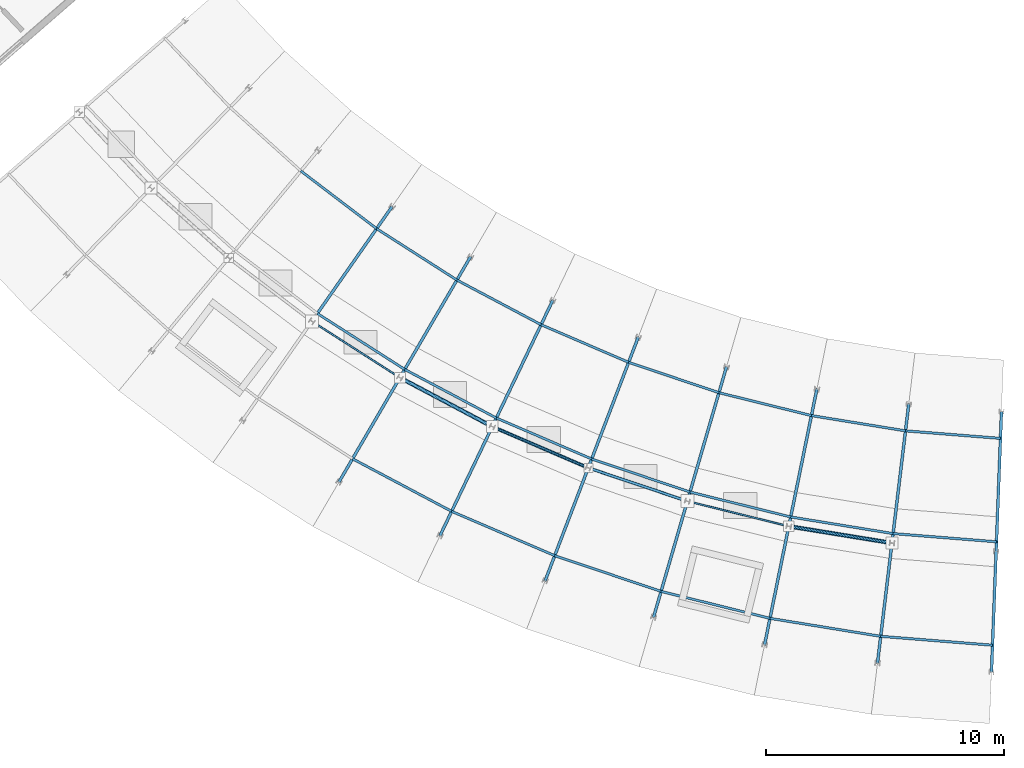
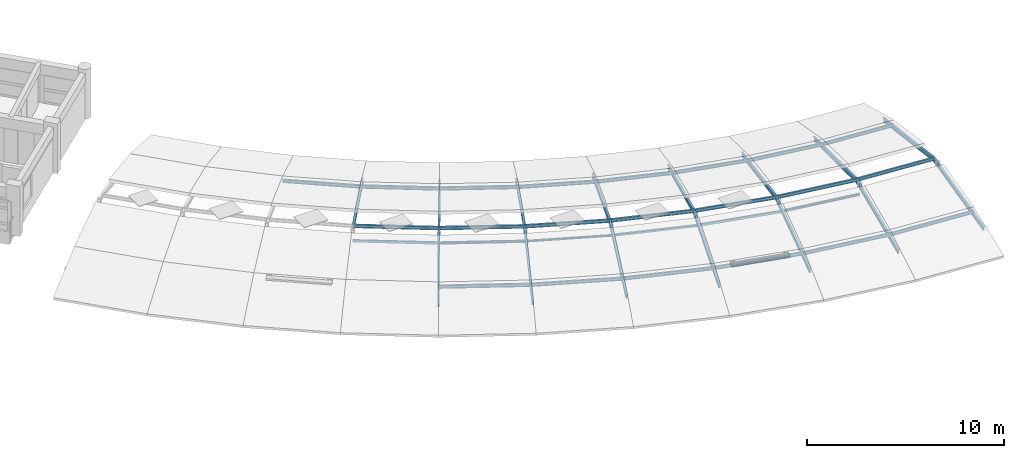
# One storey, part 16 of 40: 36 beams, 6 members.
"""IFC4 building model written with IfcOpenShell, lengths in metres."""

from ifc_helpers import new_model, si_unit, direction, frame, origin, origin_2d, place, context, subcontext, project, spatial, hollow_rectangle, hollow_circle, i_section, extrude, material, material_profile, profile_set, type_object, element, save


model = new_model("IFC4")

# Units and contexts
model_context = context("Model", 3, precision=1e-05, world=origin(), true_north=direction((0.0, 1.0)))
body_context = subcontext(model_context, "Body", "Model", "MODEL_VIEW")
ifc_project = project(units=[si_unit("LENGTHUNIT", "METRE"), si_unit("AREAUNIT", "SQUARE_METRE"), si_unit("VOLUMEUNIT", "CUBIC_METRE"), si_unit("PLANEANGLEUNIT", "RADIAN"), si_unit("MASSUNIT", "GRAM", prefix="KILO")], contexts=[model_context])

# Site, building, storey
site_placement = place(None, origin())
site = spatial("IfcSite", under=ifc_project, at=site_placement, CompositionType="ELEMENT")
building_placement = place(site_placement, origin())
building = spatial("IfcBuilding", under=site, at=building_placement, Name="Zimvara Arc Housing Community", CompositionType="ELEMENT")
storey_placement = place(building_placement, frame((0.0, 0.0, 32.89990234375)))
storey = spatial("IfcBuildingStorey", under=building, at=storey_placement, Name="L10", CompositionType="ELEMENT", Elevation=32.89990234375)

# Beams
ifc_material_1 = material(Name="Steel S355", Category="steel")
ifc_material_profile_1 = material_profile(ifc_material_1, i_section(OverallWidth=0.10009765625, OverallDepth=0.199951171875, WebThickness=0.005615234375, FlangeThickness=0.008544921875, FilletRadius=0.011962890625, at=origin_2d()), Name="IPE 200")
ifc_profile_set_1 = profile_set([ifc_material_profile_1], Name="Steel S355")
beam_type_1 = type_object("IfcBeamType", Name="BM-ST-IPE200", PredefinedType="JOIST", material=ifc_profile_set_1)
beam_1_placement = place(storey_placement, frame((94.68798828125, 72.088134765625, 0.8251953125), z_axis=(0.795456905732, -0.606010157608, 0.0), x_axis=(0.606010157608, 0.795456905732, 0.0)))
element("IfcBeam", 1, at=beam_1_placement, inside=storey, type_object=beam_type_1, Name="bm:blkC:L10:p_in:b2", PredefinedType="JOIST", context=body_context, shape_type="SweptSolid", body=[
    extrude(i_section(OverallWidth=0.10009765625, OverallDepth=0.199951171875, WebThickness=0.005615234375, FlangeThickness=0.008544921875, FilletRadius=0.011962890625, at=origin_2d()), origin(), (0.0, 0.0, 1.0), 4.00537109375),
])
beam_2_placement = place(storey_placement, frame((97.8740234375, 69.660888671875, 0.8251953125), z_axis=(0.84227582837, -0.539046778067, 0.0), x_axis=(0.539046778067, 0.84227582837, 0.0)))
element("IfcBeam", 2, at=beam_2_placement, inside=storey, type_object=beam_type_1, Name="bm:blkC:L10:p_in:b3", PredefinedType="JOIST", context=body_context, shape_type="SweptSolid", body=[
    extrude(i_section(OverallWidth=0.10009765625, OverallDepth=0.199951171875, WebThickness=0.005615234375, FlangeThickness=0.008544921875, FilletRadius=0.011962890625, at=origin_2d()), origin(), (0.0, 0.0, 1.0), 4.005615234375),
])
beam_3_placement = place(storey_placement, frame((95.381591796875, 66.095947265625, 1.4150390625), z_axis=(0.842259198288, -0.539072762156, 0.0), x_axis=(0.539072762156, 0.842259198288, 0.0)))
element("IfcBeam", 3, at=beam_3_placement, inside=storey, type_object=beam_type_1, Name="bm:blkC:L10:p_crb:b3", PredefinedType="JOIST", context=body_context, shape_type="SweptSolid", body=[
    extrude(i_section(OverallWidth=0.10009765625, OverallDepth=0.199951171875, WebThickness=0.005615234375, FlangeThickness=0.008544921875, FilletRadius=0.011962890625, at=origin_2d()), origin(), (0.0, 0.0, 1.0), 4.3603515625),
])
beam_4_placement = place(storey_placement, frame((101.247802734375, 67.501708984375, 0.8251953125), z_axis=(0.883428842422, -0.468565342697, 0.0), x_axis=(0.468565342697, 0.883428842422, 0.0)))
element("IfcBeam", 4, at=beam_4_placement, inside=storey, type_object=beam_type_1, Name="bm:blkC:L10:p_in:b4", PredefinedType="JOIST", context=body_context, shape_type="SweptSolid", body=[
    extrude(i_section(OverallWidth=0.10009765625, OverallDepth=0.199951171875, WebThickness=0.005615234375, FlangeThickness=0.008544921875, FilletRadius=0.011962890625, at=origin_2d()), origin(), (0.0, 0.0, 1.0), 4.005126953125),
])
beam_5_placement = place(storey_placement, frame((99.05419921875, 63.745361328125, 1.4150390625), z_axis=(0.883443142085, -0.468538381249, 0.0), x_axis=(0.468538381249, 0.883443142085, 0.0)))
element("IfcBeam", 5, at=beam_5_placement, inside=storey, type_object=beam_type_1, Name="bm:blkC:L10:p_crb:b4", PredefinedType="JOIST", context=body_context, shape_type="SweptSolid", body=[
    extrude(i_section(OverallWidth=0.10009765625, OverallDepth=0.199951171875, WebThickness=0.005615234375, FlangeThickness=0.008544921875, FilletRadius=0.011962890625, at=origin_2d()), origin(), (0.0, 0.0, 1.0), 4.36083984375),
])
beam_6_placement = place(storey_placement, frame((96.86083984375, 59.98876953125, 0.8251953125), z_axis=(0.883432556637, -0.468558339884, 0.0), x_axis=(0.468558339884, 0.883432556637, 0.0)))
element("IfcBeam", 6, at=beam_6_placement, inside=storey, type_object=beam_type_1, Name="bm:blkC:L10:p_out:b4", PredefinedType="JOIST", context=body_context, shape_type="SweptSolid", body=[
    extrude(i_section(OverallWidth=0.10009765625, OverallDepth=0.199951171875, WebThickness=0.005615234375, FlangeThickness=0.008544921875, FilletRadius=0.011962890625, at=origin_2d()), origin(), (0.0, 0.0, 1.0), 4.716064453125),
])
beam_7_placement = place(storey_placement, frame((104.7861328125, 65.625, 0.8251953125), z_axis=(0.918744157228, -0.394853357031, 0.0), x_axis=(0.394853357031, 0.918744157228, 0.0)))
element("IfcBeam", 7, at=beam_7_placement, inside=storey, type_object=beam_type_1, Name="bm:blkC:L10:p_in:b5", PredefinedType="JOIST", context=body_context, shape_type="SweptSolid", body=[
    extrude(i_section(OverallWidth=0.10009765625, OverallDepth=0.199951171875, WebThickness=0.005615234375, FlangeThickness=0.008544921875, FilletRadius=0.011962890625, at=origin_2d()), origin(), (0.0, 0.0, 1.0), 4.00537109375),
])
beam_8_placement = place(storey_placement, frame((102.90673828125, 61.7021484375, 1.4150390625), z_axis=(0.918727491626, -0.394892132271, 0.0), x_axis=(0.394892132271, 0.918727491626, 0.0)))
element("IfcBeam", 8, at=beam_8_placement, inside=storey, type_object=beam_type_1, Name="bm:blkC:L10:p_crb:b5", PredefinedType="JOIST", context=body_context, shape_type="SweptSolid", body=[
    extrude(i_section(OverallWidth=0.10009765625, OverallDepth=0.199951171875, WebThickness=0.005615234375, FlangeThickness=0.008544921875, FilletRadius=0.011962890625, at=origin_2d()), origin(), (0.0, 0.0, 1.0), 4.360595703125),
])
beam_9_placement = place(storey_placement, frame((101.027099609375, 57.779052734375, 0.8251953125), z_axis=(0.918740191119, -0.39486258524, 0.0), x_axis=(0.39486258524, 0.918740191119, 0.0)))
element("IfcBeam", 9, at=beam_9_placement, inside=storey, type_object=beam_type_1, Name="bm:blkC:L10:p_out:b5", PredefinedType="JOIST", context=body_context, shape_type="SweptSolid", body=[
    extrude(i_section(OverallWidth=0.10009765625, OverallDepth=0.199951171875, WebThickness=0.005615234375, FlangeThickness=0.008544921875, FilletRadius=0.011962890625, at=origin_2d()), origin(), (0.0, 0.0, 1.0), 4.7158203125),
])
beam_10_placement = place(storey_placement, frame((108.466064453125, 64.04345703125, 0.8251953125), z_axis=(0.947869514927, -0.318658724457, 0.0), x_axis=(0.318658724457, 0.947869514927, 0.0)))
element("IfcBeam", 10, at=beam_10_placement, inside=storey, type_object=beam_type_1, Name="bm:blkC:L10:p_in:b6", PredefinedType="JOIST", context=body_context, shape_type="SweptSolid", body=[
    extrude(i_section(OverallWidth=0.10009765625, OverallDepth=0.199951171875, WebThickness=0.005615234375, FlangeThickness=0.008544921875, FilletRadius=0.011962890625, at=origin_2d()), origin(), (0.0, 0.0, 1.0), 4.00537109375),
])
beam_11_placement = place(storey_placement, frame((106.912841796875, 59.980224609375, 1.4150390625), z_axis=(0.947879626716, -0.318628644751, 0.0), x_axis=(0.318628644751, 0.947879626716, 0.0)))
element("IfcBeam", 11, at=beam_11_placement, inside=storey, type_object=beam_type_1, Name="bm:blkC:L10:p_crb:b6", PredefinedType="JOIST", context=body_context, shape_type="SweptSolid", body=[
    extrude(i_section(OverallWidth=0.10009765625, OverallDepth=0.199951171875, WebThickness=0.005615234375, FlangeThickness=0.008544921875, FilletRadius=0.011962890625, at=origin_2d()), origin(), (0.0, 0.0, 1.0), 4.360595703125),
])
beam_12_placement = place(storey_placement, frame((105.359619140625, 55.9169921875, 0.8251953125), z_axis=(0.947872578778, -0.318649610704, 0.0), x_axis=(0.318649610704, 0.947872578778, 0.0)))
element("IfcBeam", 12, at=beam_12_placement, inside=storey, type_object=beam_type_1, Name="bm:blkC:L10:p_out:b6", PredefinedType="JOIST", context=body_context, shape_type="SweptSolid", body=[
    extrude(i_section(OverallWidth=0.10009765625, OverallDepth=0.199951171875, WebThickness=0.005615234375, FlangeThickness=0.008544921875, FilletRadius=0.011962890625, at=origin_2d()), origin(), (0.0, 0.0, 1.0), 4.7158203125),
])
beam_13_placement = place(storey_placement, frame((112.2626953125, 62.76708984375, 0.8251953125), z_axis=(0.970717036884, -0.240225798578, 0.0), x_axis=(0.240225798578, 0.970717036884, 0.0)))
element("IfcBeam", 13, at=beam_13_placement, inside=storey, type_object=beam_type_1, Name="bm:blkC:L10:p_in:b7", PredefinedType="JOIST", context=body_context, shape_type="SweptSolid", body=[
    extrude(i_section(OverallWidth=0.10009765625, OverallDepth=0.199951171875, WebThickness=0.005615234375, FlangeThickness=0.008544921875, FilletRadius=0.011962890625, at=origin_2d()), origin(), (0.0, 0.0, 1.0), 4.005126953125),
])
beam_14_placement = place(storey_placement, frame((111.046142578125, 58.5908203125, 1.4150390625), z_axis=(0.970712841658, -0.240242750234, 0.0), x_axis=(0.240242750234, 0.970712841658, 0.0)))
element("IfcBeam", 14, at=beam_14_placement, inside=storey, type_object=beam_type_1, Name="bm:blkC:L10:p_crb:b7", PredefinedType="JOIST", context=body_context, shape_type="SweptSolid", body=[
    extrude(i_section(OverallWidth=0.10009765625, OverallDepth=0.199951171875, WebThickness=0.005615234375, FlangeThickness=0.008544921875, FilletRadius=0.011962890625, at=origin_2d()), origin(), (0.0, 0.0, 1.0), 4.360595703125),
])
beam_15_placement = place(storey_placement, frame((109.82958984375, 54.414306640625, 0.8251953125), z_axis=(0.970718363539, -0.240220437697, 0.0), x_axis=(0.240220437697, 0.970718363539, 0.0)))
element("IfcBeam", 15, at=beam_15_placement, inside=storey, type_object=beam_type_1, Name="bm:blkC:L10:p_out:b7", PredefinedType="JOIST", context=body_context, shape_type="SweptSolid", body=[
    extrude(i_section(OverallWidth=0.10009765625, OverallDepth=0.199951171875, WebThickness=0.005615234375, FlangeThickness=0.008544921875, FilletRadius=0.011962890625, at=origin_2d()), origin(), (0.0, 0.0, 1.0), 4.7158203125),
])
beam_16_placement = place(storey_placement, frame((116.150634765625, 61.804931640625, 0.8251953125), z_axis=(0.987077089692, -0.160246120094, 0.0), x_axis=(0.160246120094, 0.987077089692, 0.0)))
element("IfcBeam", 16, at=beam_16_placement, inside=storey, type_object=beam_type_1, Name="bm:blkC:L10:p_in:b8", PredefinedType="JOIST", context=body_context, shape_type="SweptSolid", body=[
    extrude(i_section(OverallWidth=0.10009765625, OverallDepth=0.199951171875, WebThickness=0.005615234375, FlangeThickness=0.008544921875, FilletRadius=0.011962890625, at=origin_2d()), origin(), (0.0, 0.0, 1.0), 4.00537109375),
])
beam_17_placement = place(storey_placement, frame((115.279052734375, 57.543212890625, 1.4150390625), z_axis=(0.987078206376, -0.160239241443, 0.0), x_axis=(0.160239241443, 0.987078206376, 0.0)))
element("IfcBeam", 17, at=beam_17_placement, inside=storey, type_object=beam_type_1, Name="bm:blkC:L10:p_crb:b8", PredefinedType="JOIST", context=body_context, shape_type="SweptSolid", body=[
    extrude(i_section(OverallWidth=0.10009765625, OverallDepth=0.199951171875, WebThickness=0.005615234375, FlangeThickness=0.008544921875, FilletRadius=0.011962890625, at=origin_2d()), origin(), (0.0, 0.0, 1.0), 4.360595703125),
])
beam_18_placement = place(storey_placement, frame((114.4072265625, 53.281494140625, 0.8251953125), z_axis=(0.987079154812, -0.160233398938, 0.0), x_axis=(0.160233398938, 0.987079154812, 0.0)))
element("IfcBeam", 18, at=beam_18_placement, inside=storey, type_object=beam_type_1, Name="bm:blkC:L10:p_out:b8", PredefinedType="JOIST", context=body_context, shape_type="SweptSolid", body=[
    extrude(i_section(OverallWidth=0.10009765625, OverallDepth=0.199951171875, WebThickness=0.005615234375, FlangeThickness=0.008544921875, FilletRadius=0.011962890625, at=origin_2d()), origin(), (0.0, 0.0, 1.0), 4.7158203125),
])
beam_19_placement = place(storey_placement, frame((120.104248046875, 61.1630859375, 0.8251953125), z_axis=(0.99686546888, -0.079115339566, 0.0), x_axis=(0.079115339566, 0.99686546888, 0.0)))
element("IfcBeam", 19, at=beam_19_placement, inside=storey, type_object=beam_type_1, Name="bm:blkC:L10:p_in:b9", PredefinedType="JOIST", context=body_context, shape_type="SweptSolid", body=[
    extrude(i_section(OverallWidth=0.10009765625, OverallDepth=0.199951171875, WebThickness=0.005615234375, FlangeThickness=0.008544921875, FilletRadius=0.011962890625, at=origin_2d()), origin(), (0.0, 0.0, 1.0), 4.00537109375),
])
beam_20_placement = place(storey_placement, frame((119.583251953125, 56.844482421875, 1.4150390625), z_axis=(0.996861396187, -0.079166639383, 0.0), x_axis=(0.079166639383, 0.996861396187, 0.0)))
element("IfcBeam", 20, at=beam_20_placement, inside=storey, type_object=beam_type_1, Name="bm:blkC:L10:p_crb:b9", PredefinedType="JOIST", context=body_context, shape_type="SweptSolid", body=[
    extrude(i_section(OverallWidth=0.10009765625, OverallDepth=0.199951171875, WebThickness=0.005615234375, FlangeThickness=0.008544921875, FilletRadius=0.011962890625, at=origin_2d()), origin(), (0.0, 0.0, 1.0), 4.360595703125),
])
beam_21_placement = place(storey_placement, frame((119.06201171875, 52.52587890625, 0.8251953125), z_axis=(0.996862345844, -0.079154680453, 0.0), x_axis=(0.079154680453, 0.996862345844, 0.0)))
element("IfcBeam", 21, at=beam_21_placement, inside=storey, type_object=beam_type_1, Name="bm:blkC:L10:p_out:b9", PredefinedType="JOIST", context=body_context, shape_type="SweptSolid", body=[
    extrude(i_section(OverallWidth=0.10009765625, OverallDepth=0.199951171875, WebThickness=0.005615234375, FlangeThickness=0.008544921875, FilletRadius=0.011962890625, at=origin_2d()), origin(), (0.0, 0.0, 1.0), 4.716064453125),
])
ifc_material_2 = material(Name="Steel S355", Category="steel")
ifc_material_profile_2 = material_profile(ifc_material_2, i_section(OverallWidth=0.1201171875, OverallDepth=0.239990234375, WebThickness=0.006103515625, FlangeThickness=0.009765625, FilletRadius=0.014892578125, at=origin_2d()), Name="IPE 240")
ifc_profile_set_2 = profile_set([ifc_material_profile_2], Name="Steel S355")
beam_type_2 = type_object("IfcBeamType", Name="BM-ST-IPE240", PredefinedType="JOIST", material=ifc_profile_set_2)
beam_22_placement = place(storey_placement, frame((98.521728515625, 70.587158203125, 0.462646484375), z_axis=(-0.564890173919, -0.807939639201, 0.167727847473), x_axis=(0.819549926471, -0.573007781815, 0.0)))
element("IfcBeam", 22, at=beam_22_placement, inside=storey, type_object=beam_type_2, Name="bm:blkC:L10:rf_in:g3", PredefinedType="JOIST", context=body_context, shape_type="SweptSolid", body=[
    extrude(i_section(OverallWidth=0.1201171875, OverallDepth=0.239990234375, WebThickness=0.006103515625, FlangeThickness=0.009765625, FilletRadius=0.014892578125, at=origin_2d()), origin(), (0.0, 0.0, 1.0), 5.558837890625),
])
for number, where, z_axis, x_axis, name in (
    (23, (101.8173828125, 68.4775390625, 0.462646484375), (-0.497100835054, -0.851325807197, 0.16773529679), (0.863560674395, -0.504244942104, 0.0), "bm:blkC:L10:rf_in:g4"),
    (24, (99.05419921875, 63.745361328125, 1.39501953125), (-0.497049179799, -0.851356481508, -0.167732686901), (0.863591400548, -0.504192317375, 0.0), "bm:blkC:L10:rf_out:g4"),
):
    element("IfcBeam", number, at=place(storey_placement, frame(where, z_axis=z_axis, x_axis=x_axis)), inside=storey, type_object=beam_type_2, Name=name, PredefinedType="JOIST", context=body_context, shape_type="SweptSolid", body=[
        extrude(i_section(OverallWidth=0.1201171875, OverallDepth=0.239990234375, WebThickness=0.006103515625, FlangeThickness=0.009765625, FilletRadius=0.014892578125, at=origin_2d()), origin(), (0.0, 0.0, 1.0), 5.55859375),
    ])
for number, where, z_axis, x_axis, name in (
    (25, (105.2744140625, 66.644287109375, 0.462646484375), (-0.425935064654, -0.889070273642, 0.167730048661), (0.901846770279, -0.432056018286, 0.0), "bm:blkC:L10:rf_in:g5"),
    (26, (102.90673828125, 61.7021484375, 1.39501953125), (-0.425971015556, -0.889053641396, -0.167726910858), (0.901829410646, -0.432092251833, 0.0), "bm:blkC:L10:rf_out:g5"),
):
    element("IfcBeam", number, at=place(storey_placement, frame(where, z_axis=z_axis, x_axis=x_axis)), inside=storey, type_object=beam_type_2, Name=name, PredefinedType="JOIST", context=body_context, shape_type="SweptSolid", body=[
        extrude(i_section(OverallWidth=0.1201171875, OverallDepth=0.239990234375, WebThickness=0.006103515625, FlangeThickness=0.009765625, FilletRadius=0.014892578125, at=origin_2d()), origin(), (0.0, 0.0, 1.0), 5.558837890625),
    ])
beam_23_placement = place(storey_placement, frame((108.869384765625, 65.098876953125, 0.462646484375), z_axis=(-0.351985144329, -0.920853573247, 0.167735371374), x_axis=(0.934087673892, -0.357043719287, 0.0)))
element("IfcBeam", 27, at=beam_23_placement, inside=storey, type_object=beam_type_2, Name="bm:blkC:L10:rf_in:g6", PredefinedType="JOIST", context=body_context, shape_type="SweptSolid", body=[
    extrude(i_section(OverallWidth=0.1201171875, OverallDepth=0.239990234375, WebThickness=0.006103515625, FlangeThickness=0.009765625, FilletRadius=0.014892578125, at=origin_2d()), origin(), (0.0, 0.0, 1.0), 5.55859375),
])
beam_24_placement = place(storey_placement, frame((106.912841796875, 59.980224609375, 1.39501953125), z_axis=(-0.352009386499, -0.920846014564, -0.16772599464), x_axis=(0.934078494964, -0.357067732014, 0.0)))
element("IfcBeam", 28, at=beam_24_placement, inside=storey, type_object=beam_type_2, Name="bm:blkC:L10:rf_out:g6", PredefinedType="JOIST", context=body_context, shape_type="SweptSolid", body=[
    extrude(i_section(OverallWidth=0.1201171875, OverallDepth=0.239990234375, WebThickness=0.006103515625, FlangeThickness=0.009765625, FilletRadius=0.014892578125, at=origin_2d()), origin(), (0.0, 0.0, 1.0), 5.558837890625),
])
beam_25_placement = place(storey_placement, frame((112.57861328125, 63.85205078125, 0.462646484375), z_axis=(-0.275692316795, -0.946498235931, 0.167734420558), x_axis=(0.960100732782, -0.279654399057, 0.0)))
element("IfcBeam", 29, at=beam_25_placement, inside=storey, type_object=beam_type_2, Name="bm:blkC:L10:rf_in:g7", PredefinedType="JOIST", context=body_context, shape_type="SweptSolid", body=[
    extrude(i_section(OverallWidth=0.1201171875, OverallDepth=0.239990234375, WebThickness=0.006103515625, FlangeThickness=0.009765625, FilletRadius=0.014892578125, at=origin_2d()), origin(), (0.0, 0.0, 1.0), 5.55859375),
])
for number, where, z_axis, x_axis, name in (
    (30, (111.046142578125, 58.5908203125, 1.39501953125), (-0.275721437002, -0.946491348968, -0.167725416997), (0.960092254972, -0.279683503165, 0.0), "bm:blkC:L10:rf_out:g7"),
    (31, (116.377197265625, 62.912109375, 0.462646484375), (-0.197550540784, -0.965836803554, 0.167729105215), (0.979716323781, -0.200389433148, 0.0), "bm:blkC:L10:rf_in:g8"),
    (32, (115.279052734375, 57.543212890625, 1.39501953125), (-0.197550540784, -0.965836803554, -0.167729105215), (0.979716323781, -0.200389433148, 0.0), "bm:blkC:L10:rf_out:g8"),
    (33, (120.23974609375, 62.28515625, 0.462646484375), (-0.118098105416, -0.978734205727, 0.167726539451), (0.992798627952, -0.119795176601, 0.0), "bm:blkC:L10:rf_in:g9"),
):
    element("IfcBeam", number, at=place(storey_placement, frame(where, z_axis=z_axis, x_axis=x_axis)), inside=storey, type_object=beam_type_2, Name=name, PredefinedType="JOIST", context=body_context, shape_type="SweptSolid", body=[
        extrude(i_section(OverallWidth=0.1201171875, OverallDepth=0.239990234375, WebThickness=0.006103515625, FlangeThickness=0.009765625, FilletRadius=0.014892578125, at=origin_2d()), origin(), (0.0, 0.0, 1.0), 5.558837890625),
    ])
beam_26_placement = place(storey_placement, frame((119.583251953125, 56.844482421875, 1.39501953125), z_axis=(-0.118103182076, -0.978732357526, -0.167733749479), x_axis=(0.992797988576, -0.119800475286, 0.0)))
element("IfcBeam", 34, at=beam_26_placement, inside=storey, type_object=beam_type_2, Name="bm:blkC:L10:rf_out:g9", PredefinedType="JOIST", context=body_context, shape_type="SweptSolid", body=[
    extrude(i_section(OverallWidth=0.1201171875, OverallDepth=0.239990234375, WebThickness=0.006103515625, FlangeThickness=0.009765625, FilletRadius=0.014892578125, at=origin_2d()), origin(), (0.0, 0.0, 1.0), 5.55859375),
])
beam_27_placement = place(storey_placement, frame((124.140380859375, 61.975341796875, 0.462646484375), z_axis=(-0.037814440386, -0.985107895309, 0.167727465545), x_axis=(0.999264067238, -0.038357840477, 0.0)))
element("IfcBeam", 35, at=beam_27_placement, inside=storey, type_object=beam_type_2, Name="bm:blkC:L10:rf_in:g10", PredefinedType="JOIST", context=body_context, shape_type="SweptSolid", body=[
    extrude(i_section(OverallWidth=0.1201171875, OverallDepth=0.239990234375, WebThickness=0.006103515625, FlangeThickness=0.009765625, FilletRadius=0.014892578125, at=origin_2d()), origin(), (0.0, 0.0, 1.0), 5.558837890625),
])
beam_28_placement = place(storey_placement, frame((123.93017578125, 56.499267578125, 1.39501953125), z_axis=(-0.037859934696, -0.985104959733, -0.167734443855), x_axis=(0.99926229295, -0.0384040348, 0.0)))
element("IfcBeam", 36, at=beam_28_placement, inside=storey, type_object=beam_type_2, Name="bm:blkC:L10:rf_out:g10", PredefinedType="JOIST", context=body_context, shape_type="SweptSolid", body=[
    extrude(i_section(OverallWidth=0.1201171875, OverallDepth=0.239990234375, WebThickness=0.006103515625, FlangeThickness=0.009765625, FilletRadius=0.014892578125, at=origin_2d()), origin(), (0.0, 0.0, 1.0), 5.55859375),
])

# Members
ifc_material_3 = material(Name="Steel S355", Category="steel")
ifc_material_profile_3 = material_profile(ifc_material_3, hollow_rectangle(XDim=0.1201171875, YDim=0.1201171875, WallThickness=0.00634765625, InnerFilletRadius=0.00634765625, OuterFilletRadius=0.0126953125, at=origin_2d()), Name="SHS 120x120x6.3")
ifc_profile_set_3 = profile_set([ifc_material_profile_3], Name="Steel S355")
member_type_1 = type_object("IfcMemberType", Name="MB-BRACE-SHS120", PredefinedType="BRACE", material=ifc_profile_set_3)
member_1_placement = place(storey_placement, frame((106.77001953125, 59.6064453125, 0.77001953125), z_axis=(0.947891222174, -0.318594147665, 0.0), x_axis=(0.318594147665, 0.947891222174, 0.0)))
element("IfcMember", 37, at=member_1_placement, inside=storey, type_object=member_type_1, Name="mb:blkC:L10:brace:b6", PredefinedType="BRACE", context=body_context, shape_type="SweptSolid", body=[
    extrude(hollow_rectangle(XDim=0.1201171875, YDim=0.1201171875, WallThickness=0.00634765625, InnerFilletRadius=0.00634765625, OuterFilletRadius=0.0126953125, at=origin_2d()), origin(), (0.0, 0.0, 1.0), 4.393310546875),
])
ifc_material_4 = material(Name="Steel S355", Category="steel")
ifc_material_profile_4 = material_profile(ifc_material_4, hollow_rectangle(XDim=0.080078125, YDim=0.159912109375, WallThickness=0.00634765625, InnerFilletRadius=0.00634765625, OuterFilletRadius=0.0126953125, at=origin_2d()), Name="RHS 160x80x6.3")
ifc_profile_set_4 = profile_set([ifc_material_profile_4], Name="Steel S355")
member_type_2 = type_object("IfcMemberType", Name="MB-PURLIN-RHS160", PredefinedType="PURLIN", material=ifc_profile_set_4)
for number, where, z_axis, x_axis, name in (
    (38, (95.15234375, 65.76806640625, 0.77001953125), (0.842267363538, -0.539060004376, 0.0), (0.539060004376, 0.842267363538, 0.0), "mb:blkC:L10:brace:b3"),
    (39, (110.934326171875, 58.206787109375, 0.77001953125), (0.970711887087, -0.240246607195, 0.0), (0.240246607195, 0.970711887087, 0.0), "mb:blkC:L10:brace:b7"),
):
    element("IfcMember", number, at=place(storey_placement, frame(where, z_axis=z_axis, x_axis=x_axis)), inside=storey, type_object=member_type_2, Name=name, PredefinedType="PURLIN", context=body_context, shape_type="SweptSolid", body=[
        extrude(hollow_rectangle(XDim=0.080078125, YDim=0.159912109375, WallThickness=0.00634765625, InnerFilletRadius=0.00634765625, OuterFilletRadius=0.0126953125, at=origin_2d()), origin(), (0.0, 0.0, 1.0), 4.39306640625),
    ])
ifc_material_5 = material(Name="Steel S355", Category="steel")
ifc_material_profile_5 = material_profile(ifc_material_5, hollow_circle(Radius=0.06982421875, WallThickness=0.00634765625, at=origin_2d()), Name="CHS 139.7x6.3")
ifc_profile_set_5 = profile_set([ifc_material_profile_5], Name="Steel S355")
member_type_3 = type_object("IfcMemberType", Name="MB-STRUT-CHS140", PredefinedType="STRUT", material=ifc_profile_set_5)
member_2_placement = place(storey_placement, frame((102.73388671875, 61.34130859375, 0.77001953125), z_axis=(0.918724840088, -0.394898301093, 0.0), x_axis=(0.394898301093, 0.918724840088, 0.0)))
element("IfcMember", 40, at=member_2_placement, inside=storey, type_object=member_type_3, Name="mb:blkC:L10:brace:b5", PredefinedType="STRUT", context=body_context, shape_type="SweptSolid", body=[
    extrude(hollow_circle(Radius=0.06982421875, WallThickness=0.00634765625, at=origin_2d()), origin(), (0.0, 0.0, 1.0), 4.393310546875),
])
ifc_material_6 = material(Name="Steel S355", Category="steel")
ifc_material_profile_6 = material_profile(ifc_material_6, hollow_circle(Radius=0.084228515625, WallThickness=0.008056640625, at=origin_2d()), Name="CHS 168.3x8.0")
ifc_profile_set_6 = profile_set([ifc_material_profile_6], Name="Steel S355")
member_type_4 = type_object("IfcMemberType", Name="MB-STRUT-CHS168", PredefinedType="STRUT", material=ifc_profile_set_6)
member_3_placement = place(storey_placement, frame((98.8525390625, 63.39990234375, 0.77001953125), z_axis=(0.883433524437, -0.468556515162, 0.0), x_axis=(0.468556515162, 0.883433524437, 0.0)))
element("IfcMember", 41, at=member_3_placement, inside=storey, type_object=member_type_4, Name="mb:blkC:L10:brace:b4", PredefinedType="STRUT", context=body_context, shape_type="SweptSolid", body=[
    extrude(hollow_circle(Radius=0.084228515625, WallThickness=0.008056640625, at=origin_2d()), origin(), (0.0, 0.0, 1.0), 4.3935546875),
])
member_4_placement = place(storey_placement, frame((115.19873046875, 57.1513671875, 0.77001953125), z_axis=(0.987083398718, -0.160207253195, 0.0), x_axis=(0.160207253195, 0.987083398718, 0.0)))
element("IfcMember", 42, at=member_4_placement, inside=storey, type_object=member_type_4, Name="mb:blkC:L10:brace:b8", PredefinedType="STRUT", context=body_context, shape_type="SweptSolid", body=[
    extrude(hollow_circle(Radius=0.084228515625, WallThickness=0.008056640625, at=origin_2d()), origin(), (0.0, 0.0, 1.0), 4.393310546875),
])

save(model, "model.ifc")
